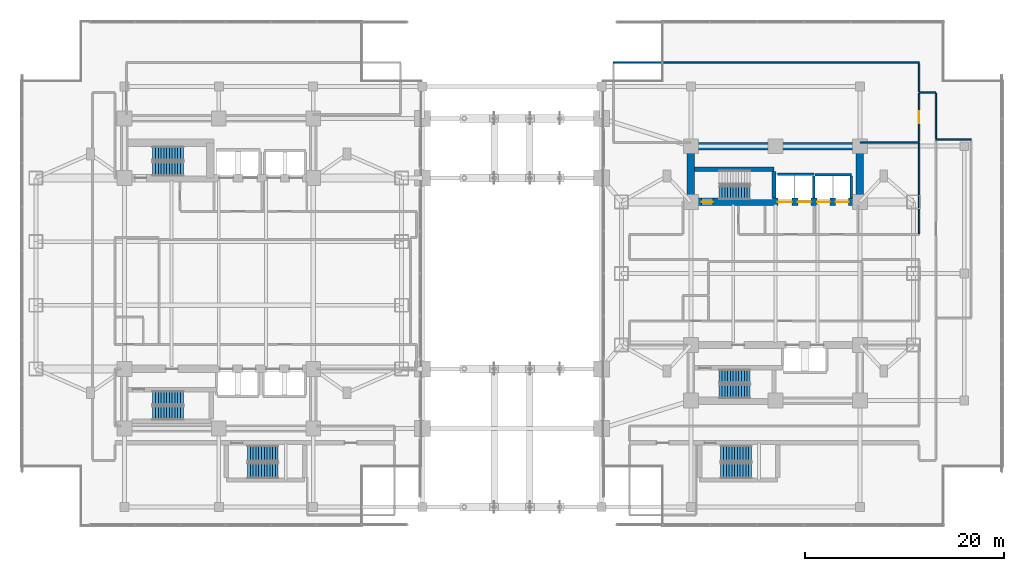
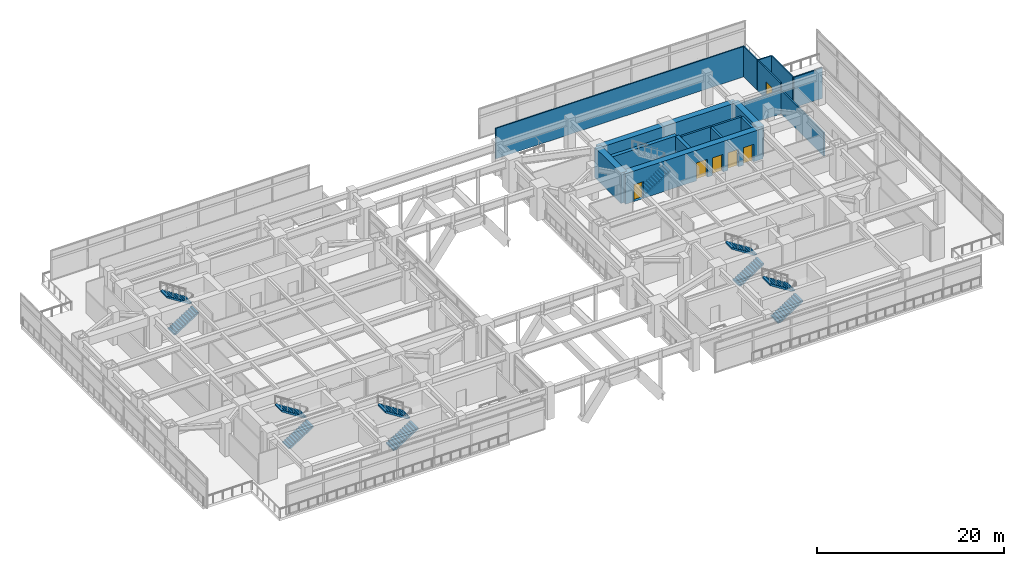
# One storey, part 18 of 30: 18 walls, 11 stair flights, 6 doors, 6 openings, 6 elements without a shape of their own.
"""IFC4 building model written with IfcOpenShell, lengths in metres."""

from ifc_helpers import new_model, si_unit, direction, frame, frame_2d, origin, place, context, subcontext, project, spatial, polyline, rectangle, outline, extrude, material, layer, layer_set, type_object, element, fill, aggregate, save


model = new_model("IFC4")

# Units and contexts
model_context = context("Model", 3, precision=1e-05, world=origin(), true_north=direction((0.0, 1.0)))
body_context = subcontext(model_context, "Body", "Model", "MODEL_VIEW")
ifc_project = project(units=[si_unit("LENGTHUNIT", "METRE"), si_unit("AREAUNIT", "SQUARE_METRE"), si_unit("VOLUMEUNIT", "CUBIC_METRE"), si_unit("PLANEANGLEUNIT", "RADIAN"), si_unit("MASSUNIT", "GRAM", prefix="KILO")], contexts=[model_context])

# Site, building, storey
site_placement = place(None, origin())
site = spatial("IfcSite", under=ifc_project, at=site_placement, CompositionType="ELEMENT")
building_placement = place(site_placement, origin())
building = spatial("IfcBuilding", under=site, at=building_placement, Name="Mirazonda Arch Towers", CompositionType="ELEMENT")
storey_placement = place(building_placement, frame((0.0, 0.0, 9.5)))
storey = spatial("IfcBuildingStorey", under=building, at=storey_placement, Name="L02", CompositionType="ELEMENT", Elevation=9.5)

# Walls
ifc_material_1 = material(Name="Concrete C50/60", Category="concrete")
ifc_layer_1 = layer(ifc_material_1, 0.449951171875, Name="WALL-CORE-450")
ifc_layer_set_1 = layer_set([ifc_layer_1], Name="Concrete C50/60")
wall_type_1 = type_object("IfcWallType", Name="WALL-CORE-450", PredefinedType="SHEAR", material=ifc_layer_set_1)
wall_1_placement = place(storey_placement, frame((68.3701171875, 38.5, 0.0), z_axis=(0.0, 0.0, 1.0), x_axis=(1.0, 0.0, 0.0)))
element("IfcWall", 1, at=wall_1_placement, inside=storey, type_object=wall_type_1, Name="L02 Stair Core Shear Wall 039", PredefinedType="SHEAR", context=body_context, shape_type="SweptSolid", body=[
    extrude(rectangle(XDim=7.989990234375, YDim=0.449951171875, at=frame_2d((3.9951171875, 0.0))), origin(), (0.0, 0.0, 1.0), 3.97998046875),
])
wall_2_placement = place(storey_placement, frame((76.360107421875, 35.570068359375, 0.0), z_axis=(0.0, 0.0, 1.0), x_axis=(0.0, 1.0, 0.0)))
element("IfcWall", 2, at=wall_2_placement, inside=storey, type_object=wall_type_1, Name="L02 Stair Core Shear Wall 095", PredefinedType="SHEAR", context=body_context, shape_type="SweptSolid", body=[
    extrude(rectangle(XDim=2.69482421875, YDim=0.449951171875, at=frame_2d((1.347412109375, 0.0))), origin(), (0.0, 0.0, 1.0), 3.97998046875),
])
ifc_material_2 = material(Name="Concrete C60/75", Category="concrete")
ifc_layer_2 = layer(ifc_material_2, 0.75, Name="WALL-CORE-750")
ifc_layer_set_2 = layer_set([ifc_layer_2], Name="Concrete C60/75")
wall_type_2 = type_object("IfcWallType", Name="WALL-CORE-750", PredefinedType="SHEAR", material=ifc_layer_set_2)
wall_3_placement = place(storey_placement, frame((68.0, 40.800048828125, 0.0), z_axis=(0.0, 0.0, 1.0), x_axis=(1.0, 0.0, 0.0)))
element("IfcWall", 3, at=wall_3_placement, inside=storey, type_object=wall_type_2, Name="L02 T2N-N Core Shear Wall", PredefinedType="SHEAR", context=body_context, shape_type="SweptSolid", body=[
    extrude(rectangle(XDim=17.0, YDim=0.75, at=frame_2d((8.5, 0.0))), origin(), (0.0, 0.0, 1.0), 3.97998046875),
])
for number, where, z_axis, x_axis, name in (
    (4, (68.0, 35.199951171875, 0.0), (0.0, 0.0, 1.0), (0.0, 1.0, 0.0), "L02 T2N-W Core Shear Wall"),
    (5, (85.0, 35.199951171875, 0.0), (0.0, 0.0, 1.0), (0.0, 1.0, 0.0), "L02 T2N-E Core Shear Wall"),
):
    element("IfcWall", number, at=place(storey_placement, frame(where, z_axis=z_axis, x_axis=x_axis)), inside=storey, type_object=wall_type_2, Name=name, PredefinedType="SHEAR", context=body_context, shape_type="SweptSolid", body=[
        extrude(rectangle(XDim=5.60009765625, YDim=0.75, at=frame_2d((2.800048828125, 0.0))), origin(), (0.0, 0.0, 1.0), 3.97998046875),
    ])

# Wall, openings, doors
wall_4_placement = place(storey_placement, frame((68.0, 35.199951171875, 0.0), z_axis=(0.0, 0.0, 1.0), x_axis=(1.0, 0.0, 0.0)))
wall_4 = element("IfcWall", 6, at=wall_4_placement, inside=storey, type_object=wall_type_2, Name="L02 T2N-S Core Shear Wall", PredefinedType="SHEAR", context=body_context, shape_type="SweptSolid", body=[
    extrude(rectangle(XDim=17.0, YDim=0.75, at=frame_2d((8.5, 0.0))), origin(), (0.0, 0.0, 1.0), 3.97998046875),
])
opening_1_placement = place(wall_4_placement, frame((1.070068359375, 0.0, 0.0)))
opening_1 = element("IfcOpeningElement", 7, at=opening_1_placement, cuts=wall_4, Name="Opening DR-135", PredefinedType="OPENING", context=body_context, shape_type="SweptSolid", body=[
    extrude(rectangle(XDim=1.14990234375, YDim=2.199951171875, at=frame_2d((0.574951171875, 1.10009765625))), frame((0.0, 0.385009765625, 0.0), z_axis=(0.0, -1.0, 0.0), x_axis=(1.0, 0.0, 0.0)), (0.0, 0.0, 1.0), 0.77001953125),
])
opening_2_placement = place(wall_4_placement, frame((8.75, 0.0, 0.0)))
opening_2 = element("IfcOpeningElement", 8, at=opening_2_placement, cuts=wall_4, Name="Opening LD-112", PredefinedType="OPENING", context=body_context, shape_type="SweptSolid", body=[
    extrude(rectangle(XDim=1.39990234375, YDim=2.35009765625, at=frame_2d((0.699951171875, 1.175048828125))), frame((0.0, 0.385009765625, 0.0), z_axis=(0.0, -1.0, 0.0), x_axis=(1.0, 0.0, 0.0)), (0.0, 0.0, 1.0), 0.77001953125),
])
opening_3_placement = place(wall_4_placement, frame((10.77001953125, 0.0, 0.0)))
opening_3 = element("IfcOpeningElement", 9, at=opening_3_placement, cuts=wall_4, Name="Opening LD-111", PredefinedType="OPENING", context=body_context, shape_type="SweptSolid", body=[
    extrude(rectangle(XDim=1.300048828125, YDim=2.300048828125, at=frame_2d((0.64990234375, 1.14990234375))), frame((0.0, 0.385009765625, 0.0), z_axis=(0.0, -1.0, 0.0), x_axis=(1.0, 0.0, 0.0)), (0.0, 0.0, 1.0), 0.77001953125),
])
opening_4_placement = place(wall_4_placement, frame((12.68994140625, 0.0, 0.0)))
opening_4 = element("IfcOpeningElement", 10, at=opening_4_placement, cuts=wall_4, Name="Opening LD-111", PredefinedType="OPENING", context=body_context, shape_type="SweptSolid", body=[
    extrude(rectangle(XDim=1.300048828125, YDim=2.300048828125, at=frame_2d((0.64990234375, 1.14990234375))), frame((0.0, 0.385009765625, 0.0), z_axis=(0.0, -1.0, 0.0), x_axis=(1.0, 0.0, 0.0)), (0.0, 0.0, 1.0), 0.77001953125),
])
opening_5_placement = place(wall_4_placement, frame((14.570068359375, 0.0, 0.0)))
opening_5 = element("IfcOpeningElement", 11, at=opening_5_placement, cuts=wall_4, Name="Opening LD-111", PredefinedType="OPENING", context=body_context, shape_type="SweptSolid", body=[
    extrude(rectangle(XDim=1.300048828125, YDim=2.300048828125, at=frame_2d((0.64990234375, 1.14990234375))), frame((0.0, 0.385009765625, 0.0), z_axis=(0.0, -1.0, 0.0), x_axis=(1.0, 0.0, 0.0)), (0.0, 0.0, 1.0), 0.77001953125),
])
ifc_material_3 = material(Name="Architectural Brushed Steel S355", Category="steel")
door_type_1 = type_object("IfcDoorType", Name="DOOR-LIFT-FFL-1400", OperationType="NOTDEFINED", PredefinedType="DOOR", material=ifc_material_3)
door_1_placement = place(opening_2_placement, origin())
door_1 = element("IfcDoor", 12, at=door_1_placement, inside=storey, type_object=door_type_1, Name="L02 Lift Landing Sliding Door FFL-T2", OperationType="DOUBLE_DOOR_SLIDING", OverallHeight=2.35009765625, OverallWidth=1.39990234375, PredefinedType="DOOR", context=body_context, shape_type="SweptSolid", body=[
    extrude(rectangle(XDim=1.39990234375, YDim=2.35009765625, at=frame_2d((0.699951171875, 1.175048828125))), frame((0.0, 0.02490234375, 0.0), z_axis=(0.0, -1.0, 0.0), x_axis=(1.0, 0.0, 0.0)), (0.0, 0.0, 1.0), 0.050048828125),
])
fill(opening_2, door_1)
door_type_2 = type_object("IfcDoorType", Name="DOOR-LIFT-LAND-1300", OperationType="NOTDEFINED", PredefinedType="DOOR", material=ifc_material_3)
door_2_placement = place(opening_3_placement, origin())
door_2 = element("IfcDoor", 13, at=door_2_placement, inside=storey, type_object=door_type_2, Name="L02 Lift Landing Sliding Door SVL-T2", OperationType="DOUBLE_DOOR_SLIDING", OverallHeight=2.300048828125, OverallWidth=1.300048828125, PredefinedType="DOOR", context=body_context, shape_type="SweptSolid", body=[
    extrude(rectangle(XDim=1.300048828125, YDim=2.300048828125, at=frame_2d((0.64990234375, 1.14990234375))), frame((0.0, 0.02490234375, 0.0), z_axis=(0.0, -1.0, 0.0), x_axis=(1.0, 0.0, 0.0)), (0.0, 0.0, 1.0), 0.050048828125),
])
fill(opening_3, door_2)
door_3_placement = place(opening_4_placement, origin())
door_3 = element("IfcDoor", 14, at=door_3_placement, inside=storey, type_object=door_type_2, Name="L02 Lift Landing Sliding Door PL-T2L1", OperationType="DOUBLE_DOOR_SLIDING", OverallHeight=2.300048828125, OverallWidth=1.300048828125, PredefinedType="DOOR", context=body_context, shape_type="SweptSolid", body=[
    extrude(rectangle(XDim=1.300048828125, YDim=2.300048828125, at=frame_2d((0.64990234375, 1.14990234375))), frame((0.0, 0.02490234375, 0.0), z_axis=(0.0, -1.0, 0.0), x_axis=(1.0, 0.0, 0.0)), (0.0, 0.0, 1.0), 0.050048828125),
])
fill(opening_4, door_3)
door_4_placement = place(opening_5_placement, origin())
door_4 = element("IfcDoor", 15, at=door_4_placement, inside=storey, type_object=door_type_2, Name="L02 Lift Landing Sliding Door PL-T2L2", OperationType="DOUBLE_DOOR_SLIDING", OverallHeight=2.300048828125, OverallWidth=1.300048828125, PredefinedType="DOOR", context=body_context, shape_type="SweptSolid", body=[
    extrude(rectangle(XDim=1.300048828125, YDim=2.300048828125, at=frame_2d((0.64990234375, 1.14990234375))), frame((0.0, 0.02490234375, 0.0), z_axis=(0.0, -1.0, 0.0), x_axis=(1.0, 0.0, 0.0)), (0.0, 0.0, 1.0), 0.050048828125),
])
fill(opening_5, door_4)
door_type_3 = type_object("IfcDoorType", Name="DOOR-STAIR-FD90-1150", OperationType="NOTDEFINED", PredefinedType="DOOR", material=ifc_material_3)
door_5_placement = place(opening_1_placement, origin())
door_5 = element("IfcDoor", 16, at=door_5_placement, inside=storey, type_object=door_type_3, Name="L02 East Protected Stair North Door", OperationType="SINGLE_SWING_LEFT", OverallHeight=2.199951171875, OverallWidth=1.14990234375, PredefinedType="DOOR", context=body_context, shape_type="SweptSolid", body=[
    extrude(rectangle(XDim=1.14990234375, YDim=2.199951171875, at=frame_2d((0.574951171875, 1.10009765625))), frame((0.0, 0.02490234375, 0.0), z_axis=(0.0, -1.0, 0.0), x_axis=(1.0, 0.0, 0.0)), (0.0, 0.0, 1.0), 0.050048828125),
])
fill(opening_1, door_5)

# Walls
ifc_material_4 = material(Name="Fire-Rated Gypsum Stud Partition")
ifc_layer_3 = layer(ifc_material_4, 0.14990234375, Name="WALL-PART-CORR-150")
ifc_layer_set_3 = layer_set([ifc_layer_3], Name="Fire-Rated Gypsum Stud Partition")
wall_type_3 = type_object("IfcWallType", Name="WALL-PART-CORR-150", PredefinedType="PARTITIONING", material=ifc_layer_set_3)
wall_5_placement = place(storey_placement, frame((85.02001953125, 41.199951171875, 0.0), z_axis=(0.0, 0.0, 1.0), x_axis=(1.0, 0.0, 0.0)))
element("IfcWall", 17, at=wall_5_placement, inside=storey, type_object=wall_type_3, Name="L02 Interior Partition 043", PredefinedType="PARTITIONING", context=body_context, shape_type="SweptSolid", body=[
    extrude(rectangle(XDim=5.929931640625, YDim=0.14990234375, at=frame_2d((2.96484375, 0.0))), origin(), (0.0, 0.0, 1.0), 3.115966796875),
])
wall_6_placement = place(storey_placement, frame((92.64990234375, 41.5, 0.0), z_axis=(0.0, 0.0, 1.0), x_axis=(1.0, 0.0, 0.0)))
element("IfcWall", 18, at=wall_6_placement, inside=storey, type_object=wall_type_3, Name="L02 Interior Partition 044", PredefinedType="PARTITIONING", context=body_context, shape_type="SweptSolid", body=[
    extrude(rectangle(XDim=3.550048828125, YDim=0.14990234375, at=frame_2d((1.77490234375, 0.0))), origin(), (0.0, 0.0, 1.0), 3.97998046875),
])
wall_7_placement = place(storey_placement, frame((90.949951171875, 46.199951171875, 0.0), z_axis=(0.0, 0.0, 1.0), x_axis=(1.0, 0.0, 0.0)))
element("IfcWall", 19, at=wall_7_placement, inside=storey, type_object=wall_type_3, Name="L02 Interior Partition 047", PredefinedType="PARTITIONING", context=body_context, shape_type="SweptSolid", body=[
    extrude(rectangle(XDim=1.699951171875, YDim=0.14990234375, at=frame_2d((0.85009765625, 0.0))), origin(), (0.0, 0.0, 1.0), 3.97998046875),
])
wall_8_placement = place(storey_placement, frame((60.199951171875, 49.199951171875, 0.0), z_axis=(0.0, 0.0, 1.0), x_axis=(1.0, 0.0, 0.0)))
element("IfcWall", 20, at=wall_8_placement, inside=storey, type_object=wall_type_3, Name="L02 Interior Partition 049", PredefinedType="PARTITIONING", context=body_context, shape_type="SweptSolid", body=[
    extrude(rectangle(XDim=30.75, YDim=0.14990234375, at=frame_2d((15.375, 0.0))), origin(), (0.0, 0.0, 1.0), 3.97998046875),
])
wall_9_placement = place(storey_placement, frame((90.949951171875, 31.985107421875, 0.0), z_axis=(0.0, 0.0, 1.0), x_axis=(0.0, 1.0, 0.0)))
element("IfcWall", 21, at=wall_9_placement, inside=storey, type_object=wall_type_3, Name="L02 Interior Partition 107", PredefinedType="PARTITIONING", context=body_context, shape_type="SweptSolid", body=[
    extrude(rectangle(XDim=9.1298828125, YDim=0.14990234375, at=frame_2d((4.56494140625, 0.0))), origin(), (0.0, 0.0, 1.0), 3.115966796875),
])

# Wall, opening, door
wall_10_placement = place(storey_placement, frame((90.949951171875, 41.284912109375, 0.0), z_axis=(0.0, 0.0, 1.0), x_axis=(0.0, 1.0, 0.0)))
wall_10 = element("IfcWall", 22, at=wall_10_placement, inside=storey, type_object=wall_type_3, Name="L02 Interior Partition 108", PredefinedType="PARTITIONING", context=body_context, shape_type="SweptSolid", body=[
    extrude(rectangle(XDim=4.830078125, YDim=0.14990234375, at=frame_2d((2.4150390625, 0.0))), origin(), (0.0, 0.0, 1.0), 3.97998046875),
])
opening_6_placement = place(wall_10_placement, frame((1.81494140625, 0.0, 0.0)))
opening_6 = element("IfcOpeningElement", 23, at=opening_6_placement, cuts=wall_10, Name="Opening DR-117", PredefinedType="OPENING", context=body_context, shape_type="SweptSolid", body=[
    extrude(rectangle(XDim=1.199951171875, YDim=2.25, at=frame_2d((0.60009765625, 1.125))), frame((0.0, 0.0849609375, 0.0), z_axis=(0.0, -1.0, 0.0), x_axis=(1.0, 0.0, 0.0)), (0.0, 0.0, 1.0), 0.169921875),
])
door_type_4 = type_object("IfcDoorType", Name="DOOR-FFL-FD90-1200", OperationType="NOTDEFINED", PredefinedType="DOOR", material=ifc_material_3)
door_6_placement = place(opening_6_placement, origin())
door_6 = element("IfcDoor", 24, at=door_6_placement, inside=storey, type_object=door_type_4, Name="L02 L02 North Pre-Function Lounge Door", OperationType="SINGLE_SWING_LEFT", OverallHeight=2.25, OverallWidth=1.199951171875, PredefinedType="DOOR", context=body_context, shape_type="SweptSolid", body=[
    extrude(rectangle(XDim=1.199951171875, YDim=2.25, at=frame_2d((0.60009765625, 1.125))), frame((0.0, 0.02490234375, 0.0), z_axis=(0.0, -1.0, 0.0), x_axis=(1.0, 0.0, 0.0)), (0.0, 0.0, 1.0), 0.050048828125),
])
fill(opening_6, door_6)

# Walls
wall_11_placement = place(storey_placement, frame((90.949951171875, 46.284912109375, 0.0), z_axis=(0.0, 0.0, 1.0), x_axis=(0.0, 1.0, 0.0)))
element("IfcWall", 25, at=wall_11_placement, inside=storey, type_object=wall_type_3, Name="L02 Interior Partition 109", PredefinedType="PARTITIONING", context=body_context, shape_type="SweptSolid", body=[
    extrude(rectangle(XDim=2.830078125, YDim=0.14990234375, at=frame_2d((1.4150390625, 0.0))), origin(), (0.0, 0.0, 1.0), 3.97998046875),
])
wall_12_placement = place(storey_placement, frame((92.64990234375, 41.5849609375, 0.0), z_axis=(0.0, 0.0, 1.0), x_axis=(0.0, 1.0, 0.0)))
element("IfcWall", 26, at=wall_12_placement, inside=storey, type_object=wall_type_3, Name="L02 Interior Partition 112", PredefinedType="PARTITIONING", context=body_context, shape_type="SweptSolid", body=[
    extrude(rectangle(XDim=4.530029296875, YDim=0.14990234375, at=frame_2d((2.26513671875, 0.0))), origin(), (0.0, 0.0, 1.0), 3.97998046875),
])
ifc_material_5 = material(Name="Concrete C40/50", Category="concrete")
ifc_layer_4 = layer(ifc_material_5, 0.25, Name="WALL-SHAFT-250")
ifc_layer_set_4 = layer_set([ifc_layer_4], Name="Concrete C40/50")
wall_type_4 = type_object("IfcWallType", Name="WALL-SHAFT-250", PredefinedType="SOLIDWALL", material=ifc_layer_set_4)
wall_13_placement = place(storey_placement, frame((80.5, 37.949951171875, 0.0), z_axis=(0.0, 0.0, 1.0), x_axis=(1.0, 0.0, 0.0)))
element("IfcWall", 27, at=wall_13_placement, inside=storey, type_object=wall_type_4, Name="L02 Interior Partition 037", PredefinedType="SOLIDWALL", context=body_context, shape_type="SweptSolid", body=[
    extrude(rectangle(XDim=3.64990234375, YDim=0.25, at=frame_2d((1.824951171875, 0.0))), origin(), (0.0, 0.0, 1.0), 3.97998046875),
])
wall_14_placement = place(storey_placement, frame((76.719970703125, 38.0, 0.0), z_axis=(0.0, 0.0, 1.0), x_axis=(1.0, 0.0, 0.0)))
element("IfcWall", 28, at=wall_14_placement, inside=storey, type_object=wall_type_4, Name="L02 Interior Partition 038", PredefinedType="SOLIDWALL", context=body_context, shape_type="SweptSolid", body=[
    extrude(rectangle(XDim=3.659912109375, YDim=0.25, at=frame_2d((1.830078125, 0.0))), origin(), (0.0, 0.0, 1.0), 3.97998046875),
])
for number, where, z_axis, x_axis, name in (
    (29, (80.3798828125, 35.570068359375, 0.0), (0.0, 0.0, 1.0), (0.0, 1.0, 0.0), "L02 Interior Partition 099"),
    (30, (84.14990234375, 35.570068359375, 0.0), (0.0, 0.0, 1.0), (0.0, 1.0, 0.0), "L02 Interior Partition 101"),
):
    element("IfcWall", number, at=place(storey_placement, frame(where, z_axis=z_axis, x_axis=x_axis)), inside=storey, type_object=wall_type_4, Name=name, PredefinedType="SOLIDWALL", context=body_context, shape_type="SweptSolid", body=[
        extrude(rectangle(XDim=2.244873046875, YDim=0.25, at=frame_2d((1.12255859375, 0.0))), origin(), (0.0, 0.0, 1.0), 3.97998046875),
    ])

# Stair, stair flights
stair_type_1 = type_object("IfcStairType", Name="STAIR-CORE-1400", PredefinedType="HALF_TURN_STAIR", material=ifc_material_5)
stair_1_placement = place(storey_placement, origin())
stair_1 = element("IfcStair", 31, at=stair_1_placement, inside=storey, type_object=stair_type_1, Name="L02 Protected Exit Stair ST-T1N", PredefinedType="HALF_TURN_STAIR")
stair_flight_type_1 = type_object("IfcStairFlightType", Name="FLIGHT-1400", PredefinedType="STRAIGHT", material=ifc_material_5)
stair_flight_1_placement = place(storey_placement, frame((13.85009765625, 38.52001953125, 0.0), z_axis=(0.0, 0.0, 1.0), x_axis=(1.0, 0.0, 0.0)))
stair_flight_1 = element("IfcStairFlight", 32, at=stair_flight_1_placement, type_object=stair_flight_type_1, Name="ST-T1N flight 1", NumberOfRisers=12, NumberOfTreads=11, PredefinedType="STRAIGHT", RiserHeight=0.179166667, TreadLength=0.28, context=body_context, shape_type="SweptSolid", body=[
    extrude(outline(polyline([(0.0, 0.0), (0.0, 0.17919921875), (0.280029296875, 0.17919921875), (0.280029296875, 0.3583984375), (0.56005859375, 0.3583984375), (0.56005859375, 0.53759765625), (0.840087890625, 0.53759765625), (0.840087890625, 0.716552734375), (1.1201171875, 0.716552734375), (1.1201171875, 0.895751953125), (1.39990234375, 0.895751953125), (1.39990234375, 1.074951171875), (1.679931640625, 1.074951171875), (1.679931640625, 1.254150390625), (1.9599609375, 1.254150390625), (1.9599609375, 1.433349609375), (2.239990234375, 1.433349609375), (2.239990234375, 1.612548828125), (2.52001953125, 1.612548828125), (2.52001953125, 1.791748046875), (2.800048828125, 1.791748046875), (2.800048828125, 1.970947265625), (3.080078125, 1.970947265625), (3.080078125, 2.14990234375), (3.080078125, 1.781005859375), (0.296630859375, 0.0), (0.0, 0.0)])), frame((0.0, 0.699951171875, 0.0), z_axis=(0.0, -1.0, 0.0), x_axis=(1.0, 0.0, 0.0)), (0.0, 0.0, 1.0), 1.39990234375),
])
stair_flight_2_placement = place(storey_placement, frame((16.929931640625, 40.06005859375, 2.14990234375), z_axis=(0.0, 0.0, 1.0), x_axis=(-1.0, 0.0, 0.0)))
stair_flight_2 = element("IfcStairFlight", 33, at=stair_flight_2_placement, type_object=stair_flight_type_1, Name="ST-T1N flight 2", NumberOfRisers=12, NumberOfTreads=11, PredefinedType="STRAIGHT", RiserHeight=0.179166667, TreadLength=0.28, context=body_context, shape_type="SweptSolid", body=[
    extrude(outline(polyline([(0.0, 0.0), (0.0, 0.17919921875), (0.280029296875, 0.17919921875), (0.280029296875, 0.3583984375), (0.56005859375, 0.3583984375), (0.56005859375, 0.53759765625), (0.840087890625, 0.53759765625), (0.840087890625, 0.716552734375), (1.1201171875, 0.716552734375), (1.1201171875, 0.895751953125), (1.39990234375, 0.895751953125), (1.39990234375, 1.074951171875), (1.679931640625, 1.074951171875), (1.679931640625, 1.254150390625), (1.9599609375, 1.254150390625), (1.9599609375, 1.433349609375), (2.239990234375, 1.433349609375), (2.239990234375, 1.612548828125), (2.52001953125, 1.612548828125), (2.52001953125, 1.791748046875), (2.800048828125, 1.791748046875), (2.800048828125, 1.970947265625), (3.080078125, 1.970947265625), (3.080078125, 2.14990234375), (3.080078125, 1.781005859375), (0.296630859375, 0.0), (0.0, 0.0)])), frame((0.0, 0.699951171875, 0.0), z_axis=(0.0, -1.0, 0.0), x_axis=(1.0, 0.0, 0.0)), (0.0, 0.0, 1.0), 1.39990234375),
])
aggregate(stair_1, [stair_flight_1, stair_flight_2])

stair_2_placement = place(storey_placement, origin())
stair_2 = element("IfcStair", 34, at=stair_2_placement, inside=storey, type_object=stair_type_1, Name="L02 Protected Exit Stair ST-T1S", PredefinedType="HALF_TURN_STAIR")
stair_flight_3_placement = place(storey_placement, frame((13.85009765625, 13.949951171875, 0.0), z_axis=(0.0, 0.0, 1.0), x_axis=(1.0, 0.0, 0.0)))
stair_flight_3 = element("IfcStairFlight", 35, at=stair_flight_3_placement, type_object=stair_flight_type_1, Name="ST-T1S flight 1", NumberOfRisers=12, NumberOfTreads=11, PredefinedType="STRAIGHT", RiserHeight=0.179166667, TreadLength=0.28, context=body_context, shape_type="SweptSolid", body=[
    extrude(outline(polyline([(0.0, 0.0), (0.0, 0.17919921875), (0.280029296875, 0.17919921875), (0.280029296875, 0.3583984375), (0.56005859375, 0.3583984375), (0.56005859375, 0.53759765625), (0.840087890625, 0.53759765625), (0.840087890625, 0.716552734375), (1.1201171875, 0.716552734375), (1.1201171875, 0.895751953125), (1.39990234375, 0.895751953125), (1.39990234375, 1.074951171875), (1.679931640625, 1.074951171875), (1.679931640625, 1.254150390625), (1.9599609375, 1.254150390625), (1.9599609375, 1.433349609375), (2.239990234375, 1.433349609375), (2.239990234375, 1.612548828125), (2.52001953125, 1.612548828125), (2.52001953125, 1.791748046875), (2.800048828125, 1.791748046875), (2.800048828125, 1.970947265625), (3.080078125, 1.970947265625), (3.080078125, 2.14990234375), (3.080078125, 1.781005859375), (0.296630859375, 0.0), (0.0, 0.0)])), frame((0.0, 0.699951171875, 0.0), z_axis=(0.0, -1.0, 0.0), x_axis=(1.0, 0.0, 0.0)), (0.0, 0.0, 1.0), 1.39990234375),
])
stair_flight_4_placement = place(storey_placement, frame((16.929931640625, 15.489990234375, 2.14990234375), z_axis=(0.0, 0.0, 1.0), x_axis=(-1.0, 0.0, 0.0)))
stair_flight_4 = element("IfcStairFlight", 36, at=stair_flight_4_placement, type_object=stair_flight_type_1, Name="ST-T1S flight 2", NumberOfRisers=12, NumberOfTreads=11, PredefinedType="STRAIGHT", RiserHeight=0.179166667, TreadLength=0.28, context=body_context, shape_type="SweptSolid", body=[
    extrude(outline(polyline([(0.0, 0.0), (0.0, 0.17919921875), (0.280029296875, 0.17919921875), (0.280029296875, 0.3583984375), (0.56005859375, 0.3583984375), (0.56005859375, 0.53759765625), (0.840087890625, 0.53759765625), (0.840087890625, 0.716552734375), (1.1201171875, 0.716552734375), (1.1201171875, 0.895751953125), (1.39990234375, 0.895751953125), (1.39990234375, 1.074951171875), (1.679931640625, 1.074951171875), (1.679931640625, 1.254150390625), (1.9599609375, 1.254150390625), (1.9599609375, 1.433349609375), (2.239990234375, 1.433349609375), (2.239990234375, 1.612548828125), (2.52001953125, 1.612548828125), (2.52001953125, 1.791748046875), (2.800048828125, 1.791748046875), (2.800048828125, 1.970947265625), (3.080078125, 1.970947265625), (3.080078125, 2.14990234375), (3.080078125, 1.781005859375), (0.296630859375, 0.0), (0.0, 0.0)])), frame((0.0, 0.699951171875, 0.0), z_axis=(0.0, -1.0, 0.0), x_axis=(1.0, 0.0, 0.0)), (0.0, 0.0, 1.0), 1.39990234375),
])
aggregate(stair_2, [stair_flight_3, stair_flight_4])

# Stair, stair flight
stair_3_placement = place(storey_placement, origin())
stair_3 = element("IfcStair", 37, at=stair_3_placement, inside=storey, type_object=stair_type_1, Name="L02 Protected Exit Stair ST-T2N", PredefinedType="HALF_TURN_STAIR")
stair_flight_5_placement = place(storey_placement, frame((70.85009765625, 36.1201171875, 0.0), z_axis=(0.0, 0.0, 1.0), x_axis=(1.0, 0.0, 0.0)))
stair_flight_5 = element("IfcStairFlight", 38, at=stair_flight_5_placement, type_object=stair_flight_type_1, Name="ST-T2N flight 1", NumberOfRisers=12, NumberOfTreads=11, PredefinedType="STRAIGHT", RiserHeight=0.179166667, TreadLength=0.28, context=body_context, shape_type="SweptSolid", body=[
    extrude(outline(polyline([(0.0, 0.0), (0.0, 0.17919921875), (0.280029296875, 0.17919921875), (0.280029296875, 0.3583984375), (0.56005859375, 0.3583984375), (0.56005859375, 0.53759765625), (0.840087890625, 0.53759765625), (0.840087890625, 0.716552734375), (1.1201171875, 0.716552734375), (1.1201171875, 0.895751953125), (1.39990234375, 0.895751953125), (1.39990234375, 1.074951171875), (1.679931640625, 1.074951171875), (1.679931640625, 1.254150390625), (1.9599609375, 1.254150390625), (1.9599609375, 1.433349609375), (2.239990234375, 1.433349609375), (2.239990234375, 1.612548828125), (2.52001953125, 1.612548828125), (2.52001953125, 1.791748046875), (2.800048828125, 1.791748046875), (2.800048828125, 1.970947265625), (3.080078125, 1.970947265625), (3.080078125, 2.14990234375), (3.080078125, 1.781005859375), (0.296630859375, 0.0), (0.0, 0.0)])), frame((0.0, 0.699951171875, 0.0), z_axis=(0.0, -1.0, 0.0), x_axis=(1.0, 0.0, 0.0)), (0.0, 0.0, 1.0), 1.39990234375),
])
aggregate(stair_3, [stair_flight_5])

# Stair, stair flights
stair_4_placement = place(storey_placement, origin())
stair_4 = element("IfcStair", 39, at=stair_4_placement, inside=storey, type_object=stair_type_1, Name="L02 Protected Exit Stair ST-T2S", PredefinedType="HALF_TURN_STAIR")
stair_flight_6_placement = place(storey_placement, frame((70.85009765625, 16.1201171875, 0.0), z_axis=(0.0, 0.0, 1.0), x_axis=(1.0, 0.0, 0.0)))
stair_flight_6 = element("IfcStairFlight", 40, at=stair_flight_6_placement, type_object=stair_flight_type_1, Name="ST-T2S flight 1", NumberOfRisers=12, NumberOfTreads=11, PredefinedType="STRAIGHT", RiserHeight=0.179166667, TreadLength=0.28, context=body_context, shape_type="SweptSolid", body=[
    extrude(outline(polyline([(0.0, 0.0), (0.0, 0.17919921875), (0.280029296875, 0.17919921875), (0.280029296875, 0.3583984375), (0.56005859375, 0.3583984375), (0.56005859375, 0.53759765625), (0.840087890625, 0.53759765625), (0.840087890625, 0.716552734375), (1.1201171875, 0.716552734375), (1.1201171875, 0.895751953125), (1.39990234375, 0.895751953125), (1.39990234375, 1.074951171875), (1.679931640625, 1.074951171875), (1.679931640625, 1.254150390625), (1.9599609375, 1.254150390625), (1.9599609375, 1.433349609375), (2.239990234375, 1.433349609375), (2.239990234375, 1.612548828125), (2.52001953125, 1.612548828125), (2.52001953125, 1.791748046875), (2.800048828125, 1.791748046875), (2.800048828125, 1.970947265625), (3.080078125, 1.970947265625), (3.080078125, 2.14990234375), (3.080078125, 1.781005859375), (0.296630859375, 0.0), (0.0, 0.0)])), frame((0.0, 0.699951171875, 0.0), z_axis=(0.0, -1.0, 0.0), x_axis=(1.0, 0.0, 0.0)), (0.0, 0.0, 1.0), 1.39990234375),
])
stair_flight_7_placement = place(storey_placement, frame((73.929931640625, 17.659912109375, 2.14990234375), z_axis=(0.0, 0.0, 1.0), x_axis=(-1.0, 0.0, 0.0)))
stair_flight_7 = element("IfcStairFlight", 41, at=stair_flight_7_placement, type_object=stair_flight_type_1, Name="ST-T2S flight 2", NumberOfRisers=12, NumberOfTreads=11, PredefinedType="STRAIGHT", RiserHeight=0.179166667, TreadLength=0.28, context=body_context, shape_type="SweptSolid", body=[
    extrude(outline(polyline([(0.0, 0.0), (0.0, 0.17919921875), (0.280029296875, 0.17919921875), (0.280029296875, 0.3583984375), (0.56005859375, 0.3583984375), (0.56005859375, 0.53759765625), (0.840087890625, 0.53759765625), (0.840087890625, 0.716552734375), (1.1201171875, 0.716552734375), (1.1201171875, 0.895751953125), (1.39990234375, 0.895751953125), (1.39990234375, 1.074951171875), (1.679931640625, 1.074951171875), (1.679931640625, 1.254150390625), (1.9599609375, 1.254150390625), (1.9599609375, 1.433349609375), (2.239990234375, 1.433349609375), (2.239990234375, 1.612548828125), (2.52001953125, 1.612548828125), (2.52001953125, 1.791748046875), (2.800048828125, 1.791748046875), (2.800048828125, 1.970947265625), (3.080078125, 1.970947265625), (3.080078125, 2.14990234375), (3.080078125, 1.781005859375), (0.296630859375, 0.0), (0.0, 0.0)])), frame((0.0, 0.699951171875, 0.0), z_axis=(0.0, -1.0, 0.0), x_axis=(1.0, 0.0, 0.0)), (0.0, 0.0, 1.0), 1.39990234375),
])
aggregate(stair_4, [stair_flight_6, stair_flight_7])

stair_type_2 = type_object("IfcStairType", Name="STAIR-POD-1600", PredefinedType="HALF_TURN_STAIR", material=ifc_material_5)
stair_5_placement = place(storey_placement, origin())
stair_5 = element("IfcStair", 42, at=stair_5_placement, inside=storey, type_object=stair_type_2, Name="L02 Protected Exit Stair ST-POD1", PredefinedType="HALF_TURN_STAIR")
stair_flight_type_2 = type_object("IfcStairFlightType", Name="FLIGHT-1600", PredefinedType="STRAIGHT", material=ifc_material_5)
stair_flight_8_placement = place(storey_placement, frame((23.39990234375, 8.14990234375, 0.0), z_axis=(0.0, 0.0, 1.0), x_axis=(1.0, 0.0, 0.0)))
stair_flight_8 = element("IfcStairFlight", 43, at=stair_flight_8_placement, type_object=stair_flight_type_2, Name="ST-POD1 flight 1", NumberOfRisers=12, NumberOfTreads=11, PredefinedType="STRAIGHT", RiserHeight=0.179166667, TreadLength=0.28, context=body_context, shape_type="SweptSolid", body=[
    extrude(outline(polyline([(0.0, 0.0), (0.0, 0.17919921875), (0.280029296875, 0.17919921875), (0.280029296875, 0.3583984375), (0.56005859375, 0.3583984375), (0.56005859375, 0.53759765625), (0.840087890625, 0.53759765625), (0.840087890625, 0.716552734375), (1.1201171875, 0.716552734375), (1.1201171875, 0.895751953125), (1.39990234375, 0.895751953125), (1.39990234375, 1.074951171875), (1.679931640625, 1.074951171875), (1.679931640625, 1.254150390625), (1.9599609375, 1.254150390625), (1.9599609375, 1.433349609375), (2.239990234375, 1.433349609375), (2.239990234375, 1.612548828125), (2.52001953125, 1.612548828125), (2.52001953125, 1.791748046875), (2.800048828125, 1.791748046875), (2.800048828125, 1.970947265625), (3.080078125, 1.970947265625), (3.080078125, 2.14990234375), (3.080078125, 1.75732421875), (0.333740234375, 0.0), (0.0, 0.0)])), frame((0.0, 0.800048828125, 0.0), z_axis=(0.0, -1.0, 0.0), x_axis=(1.0, 0.0, 0.0)), (0.0, 0.0, 1.0), 1.60009765625),
])
stair_flight_9_placement = place(storey_placement, frame((26.47998046875, 9.889892578125, 2.14990234375), z_axis=(0.0, 0.0, 1.0), x_axis=(-1.0, 0.0, 0.0)))
stair_flight_9 = element("IfcStairFlight", 44, at=stair_flight_9_placement, type_object=stair_flight_type_2, Name="ST-POD1 flight 2", NumberOfRisers=12, NumberOfTreads=11, PredefinedType="STRAIGHT", RiserHeight=0.179166667, TreadLength=0.28, context=body_context, shape_type="SweptSolid", body=[
    extrude(outline(polyline([(0.0, 0.0), (0.0, 0.17919921875), (0.280029296875, 0.17919921875), (0.280029296875, 0.3583984375), (0.56005859375, 0.3583984375), (0.56005859375, 0.53759765625), (0.840087890625, 0.53759765625), (0.840087890625, 0.716552734375), (1.1201171875, 0.716552734375), (1.1201171875, 0.895751953125), (1.39990234375, 0.895751953125), (1.39990234375, 1.074951171875), (1.679931640625, 1.074951171875), (1.679931640625, 1.254150390625), (1.9599609375, 1.254150390625), (1.9599609375, 1.433349609375), (2.239990234375, 1.433349609375), (2.239990234375, 1.612548828125), (2.52001953125, 1.612548828125), (2.52001953125, 1.791748046875), (2.800048828125, 1.791748046875), (2.800048828125, 1.970947265625), (3.080078125, 1.970947265625), (3.080078125, 2.14990234375), (3.080078125, 1.75732421875), (0.333740234375, 0.0), (0.0, 0.0)])), frame((0.0, 0.800048828125, 0.0), z_axis=(0.0, -1.0, 0.0), x_axis=(1.0, 0.0, 0.0)), (0.0, 0.0, 1.0), 1.60009765625),
])
aggregate(stair_5, [stair_flight_8, stair_flight_9])

stair_6_placement = place(storey_placement, origin())
stair_6 = element("IfcStair", 45, at=stair_6_placement, inside=storey, type_object=stair_type_2, Name="L02 Protected Exit Stair ST-POD2", PredefinedType="HALF_TURN_STAIR")
stair_flight_10_placement = place(storey_placement, frame((71.0, 8.14990234375, 0.0), z_axis=(0.0, 0.0, 1.0), x_axis=(1.0, 0.0, 0.0)))
stair_flight_10 = element("IfcStairFlight", 46, at=stair_flight_10_placement, type_object=stair_flight_type_2, Name="ST-POD2 flight 1", NumberOfRisers=12, NumberOfTreads=11, PredefinedType="STRAIGHT", RiserHeight=0.179166667, TreadLength=0.28, context=body_context, shape_type="SweptSolid", body=[
    extrude(outline(polyline([(0.0, 0.0), (0.0, 0.17919921875), (0.280029296875, 0.17919921875), (0.280029296875, 0.3583984375), (0.56005859375, 0.3583984375), (0.56005859375, 0.53759765625), (0.840087890625, 0.53759765625), (0.840087890625, 0.716552734375), (1.1201171875, 0.716552734375), (1.1201171875, 0.895751953125), (1.39990234375, 0.895751953125), (1.39990234375, 1.074951171875), (1.679931640625, 1.074951171875), (1.679931640625, 1.254150390625), (1.9599609375, 1.254150390625), (1.9599609375, 1.433349609375), (2.239990234375, 1.433349609375), (2.239990234375, 1.612548828125), (2.52001953125, 1.612548828125), (2.52001953125, 1.791748046875), (2.800048828125, 1.791748046875), (2.800048828125, 1.970947265625), (3.080078125, 1.970947265625), (3.080078125, 2.14990234375), (3.080078125, 1.75732421875), (0.333740234375, 0.0), (0.0, 0.0)])), frame((0.0, 0.800048828125, 0.0), z_axis=(0.0, -1.0, 0.0), x_axis=(1.0, 0.0, 0.0)), (0.0, 0.0, 1.0), 1.60009765625),
])
stair_flight_11_placement = place(storey_placement, frame((74.080078125, 9.889892578125, 2.14990234375), z_axis=(0.0, 0.0, 1.0), x_axis=(-1.0, 0.0, 0.0)))
stair_flight_11 = element("IfcStairFlight", 47, at=stair_flight_11_placement, type_object=stair_flight_type_2, Name="ST-POD2 flight 2", NumberOfRisers=12, NumberOfTreads=11, PredefinedType="STRAIGHT", RiserHeight=0.179166667, TreadLength=0.28, context=body_context, shape_type="SweptSolid", body=[
    extrude(outline(polyline([(0.0, 0.0), (0.0, 0.17919921875), (0.280029296875, 0.17919921875), (0.280029296875, 0.3583984375), (0.56005859375, 0.3583984375), (0.56005859375, 0.53759765625), (0.840087890625, 0.53759765625), (0.840087890625, 0.716552734375), (1.1201171875, 0.716552734375), (1.1201171875, 0.895751953125), (1.39990234375, 0.895751953125), (1.39990234375, 1.074951171875), (1.679931640625, 1.074951171875), (1.679931640625, 1.254150390625), (1.9599609375, 1.254150390625), (1.9599609375, 1.433349609375), (2.239990234375, 1.433349609375), (2.239990234375, 1.612548828125), (2.52001953125, 1.612548828125), (2.52001953125, 1.791748046875), (2.800048828125, 1.791748046875), (2.800048828125, 1.970947265625), (3.080078125, 1.970947265625), (3.080078125, 2.14990234375), (3.080078125, 1.75732421875), (0.333740234375, 0.0), (0.0, 0.0)])), frame((0.0, 0.800048828125, 0.0), z_axis=(0.0, -1.0, 0.0), x_axis=(1.0, 0.0, 0.0)), (0.0, 0.0, 1.0), 1.60009765625),
])
aggregate(stair_6, [stair_flight_10, stair_flight_11])

save(model, "model.ifc")
